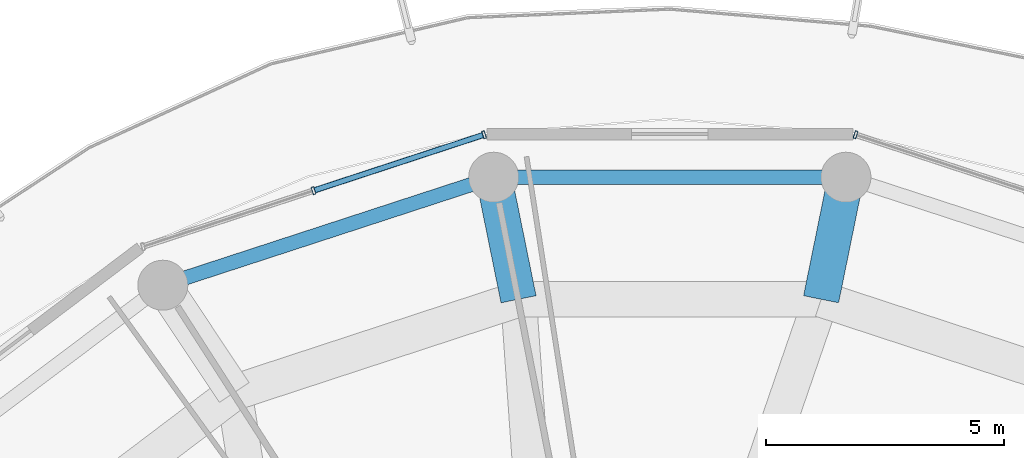
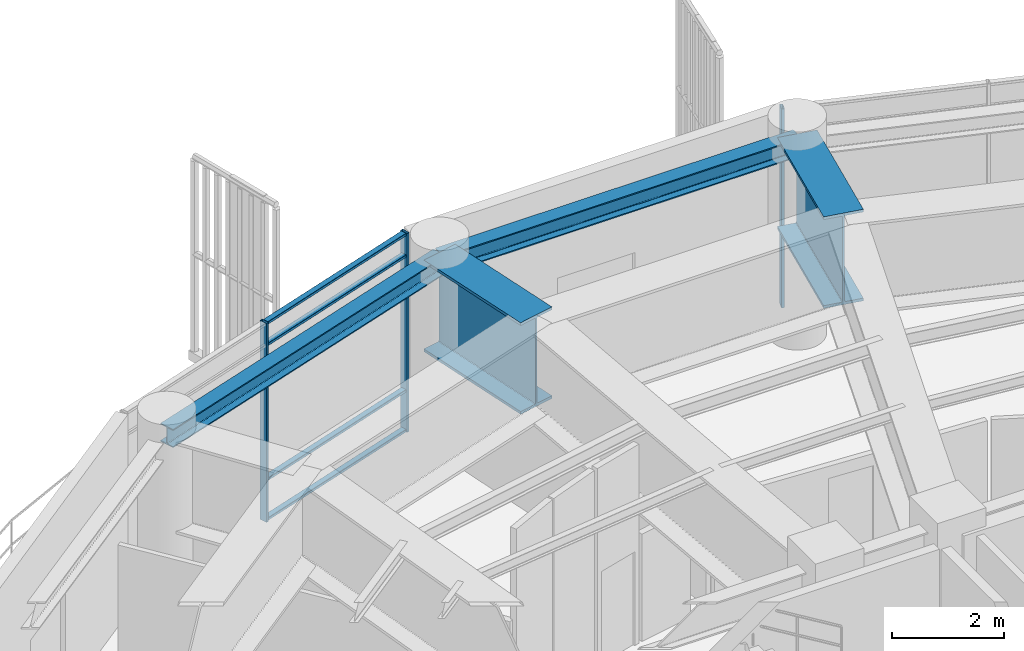
# One storey, part 18 of 29: 7 members, 4 beams, 2 elements without a shape of their own.
"""IFC4 building model written with IfcOpenShell, lengths in metres."""

from ifc_helpers import new_model, si_unit, direction, frame, origin, origin_2d, place, context, subcontext, project, spatial, hollow_rectangle, i_section, extrude, material, layer, layer_set, material_profile, profile_set, type_object, element, aggregate, save


model = new_model("IFC4")

# Units and contexts
model_context = context("Model", 3, precision=1e-05, world=origin(), true_north=direction((0.0, 1.0)))
body_context = subcontext(model_context, "Body", "Model", "MODEL_VIEW")
ifc_project = project(units=[si_unit("LENGTHUNIT", "METRE"), si_unit("AREAUNIT", "SQUARE_METRE"), si_unit("VOLUMEUNIT", "CUBIC_METRE"), si_unit("PLANEANGLEUNIT", "RADIAN"), si_unit("MASSUNIT", "GRAM", prefix="KILO")], contexts=[model_context])

# Site, building, storey
site_placement = place(None, origin())
site = spatial("IfcSite", under=ifc_project, at=site_placement, CompositionType="ELEMENT")
building_placement = place(site_placement, origin())
building = spatial("IfcBuilding", under=site, at=building_placement, Name="Kelanora Arch Commons", CompositionType="ELEMENT")
storey_placement = place(building_placement, frame((0.0, 0.0, 238.199951171875)))
storey = spatial("IfcBuildingStorey", under=building, at=storey_placement, Name="L61", CompositionType="ELEMENT", Elevation=238.199951171875)

# Beams
ifc_material_1 = material(Name="Steel S355", Category="steel")
ifc_material_profile_1 = material_profile(ifc_material_1, i_section(OverallWidth=0.300048828125, OverallDepth=0.39990234375, WebThickness=0.013427734375, FlangeThickness=0.02392578125, FilletRadius=0.027099609375, at=origin_2d()), Name="HEB400")
ifc_profile_set_1 = profile_set([ifc_material_profile_1], Name="Steel S355")
beam_type_1 = type_object("IfcBeamType", Name="BM-SPN-Z4", PredefinedType="SPANDREL", material=ifc_profile_set_1)
beam_1_placement = place(storey_placement, frame((77.6953125, 76.7900390625, 4.16015625), z_axis=(-1.0, 0.0, 0.0), x_axis=(0.0, -1.0, 0.0)))
element("IfcBeam", 1, at=beam_1_placement, inside=storey, type_object=beam_type_1, Name="Perimeter Spandrel Beam BS-08 L61", PredefinedType="SPANDREL", context=body_context, shape_type="SweptSolid", body=[
    extrude(i_section(OverallWidth=0.300048828125, OverallDepth=0.39990234375, WebThickness=0.013427734375, FlangeThickness=0.02392578125, FilletRadius=0.027099609375, at=origin_2d()), origin(), (0.0, 0.0, 1.0), 7.390625),
])
beam_2_placement = place(storey_placement, frame((70.3046875, 76.7900390625, 4.16015625), z_axis=(-0.950656361143, -0.310245842872, 0.0), x_axis=(0.310245842872, -0.950656361143, 0.0)))
element("IfcBeam", 2, at=beam_2_placement, inside=storey, type_object=beam_type_1, Name="Perimeter Spandrel Beam BS-10 L61", PredefinedType="SPANDREL", context=body_context, shape_type="SweptSolid", body=[
    extrude(i_section(OverallWidth=0.300048828125, OverallDepth=0.39990234375, WebThickness=0.013427734375, FlangeThickness=0.02392578125, FilletRadius=0.027099609375, at=origin_2d()), origin(), (0.0, 0.0, 1.0), 7.304931640625),
])
ifc_material_profile_2 = material_profile(ifc_material_1, i_section(OverallWidth=0.75, OverallDepth=2.0, WebThickness=0.034912109375, FlangeThickness=0.06005859375, FilletRadius=0.028076171875, at=origin_2d()), Name="PG2000x750")
ifc_profile_set_2 = profile_set([ifc_material_profile_2], Name="Steel S355")
beam_type_2 = type_object("IfcBeamType", Name="BM-XFER-SET", PredefinedType="USERDEFINED", material=ifc_profile_set_2)
for number, where, z_axis, x_axis, name in (
    (3, (77.17431640625, 74.2294921875, 3.360107421875), (0.199385185861, 0.979921194617, 0.0), (-0.979921194617, 0.199385185861, 0.0), "Radial Floor Girder BR-08 L61"),
    (4, (70.82568359375, 74.2294921875, 3.360107421875), (-0.199385185861, 0.979921194617, 0.0), (-0.979921194617, -0.199385185861, 0.0), "Radial Floor Girder BR-10 L61"),
):
    element("IfcBeam", number, at=place(storey_placement, frame(where, z_axis=z_axis, x_axis=x_axis)), inside=storey, type_object=beam_type_2, Name=name, ObjectType="TRANSFER_GIRDER", PredefinedType="USERDEFINED", context=body_context, shape_type="SweptSolid", body=[
        extrude(i_section(OverallWidth=0.75, OverallDepth=2.0, WebThickness=0.034912109375, FlangeThickness=0.06005859375, FilletRadius=0.028076171875, at=origin_2d()), origin(), (0.0, 0.0, 1.0), 2.613037109375),
    ])

# Curtain wall, member
ifc_material_2 = material(Name="Terracotta ceramic-fritted low-E glass and aluminium", Category="masonry")
ifc_layer = layer(ifc_material_2, 0.175048828125)
ifc_layer_set = layer_set([ifc_layer], Name="Terracotta ceramic-fritted low-E glass and aluminium")
curtain_wall_type = type_object("IfcCurtainWallType", Name="CW-SYS-02", PredefinedType="NOTDEFINED", material=ifc_layer_set)
curtain_wall_1_placement = place(storey_placement, origin())
curtain_wall_1 = element("IfcCurtainWall", 5, at=curtain_wall_1_placement, inside=storey, type_object=curtain_wall_type, Name="Unitised Curtain Wall L61-B03", PredefinedType="NOTDEFINED")
ifc_material_3 = material(Name="Powder-coated aluminium terracotta", Category="masonry")
ifc_material_profile_3 = material_profile(ifc_material_3, hollow_rectangle(XDim=0.159912109375, YDim=0.06005859375, WallThickness=0.0048828125, InnerFilletRadius=0.0048828125, OuterFilletRadius=0.010009765625, at=origin_2d()), Name="CWM160x60")
ifc_profile_set_3 = profile_set([ifc_material_profile_3], Name="Powder-coated aluminium terracotta")
member_type_1 = type_object("IfcMemberType", Name="CWM-STD", PredefinedType="MULLION", material=ifc_profile_set_3)
member_1_placement = place(storey_placement, frame((77.897705078125, 77.68212890625, 0.0), z_axis=(0.0, 0.0, 1.0), x_axis=(-0.311582439059, -0.950219124029, 0.0)))
member_1 = element("IfcMember", 6, at=member_1_placement, type_object=member_type_1, Name="CW-02 mullion 3", PredefinedType="MULLION", context=body_context, shape_type="SweptSolid", body=[
    extrude(hollow_rectangle(XDim=0.159912109375, YDim=0.06005859375, WallThickness=0.0048828125, InnerFilletRadius=0.0048828125, OuterFilletRadius=0.010009765625, at=origin_2d()), origin(), (0.0, 0.0, 1.0), 4.344970703125),
])
aggregate(curtain_wall_1, [member_1])

# Curtain wall, members
curtain_wall_2_placement = place(storey_placement, origin())
curtain_wall_2 = element("IfcCurtainWall", 7, at=curtain_wall_2_placement, inside=storey, type_object=curtain_wall_type, Name="Unitised Curtain Wall L61-B05", PredefinedType="NOTDEFINED")
member_2_placement = place(storey_placement, frame((70.102294921875, 77.68212890625, 0.0), z_axis=(0.0, 0.0, 1.0), x_axis=(0.311582439059, -0.950219124029, 0.0)))
member_2 = element("IfcMember", 8, at=member_2_placement, type_object=member_type_1, Name="CW-02 mullion 1", PredefinedType="MULLION", context=body_context, shape_type="SweptSolid", body=[
    extrude(hollow_rectangle(XDim=0.159912109375, YDim=0.06005859375, WallThickness=0.0048828125, InnerFilletRadius=0.0048828125, OuterFilletRadius=0.010009765625, at=origin_2d()), origin(), (0.0, 0.0, 1.0), 4.344970703125),
])
member_3_placement = place(storey_placement, frame((66.5224609375, 76.50830078125, 0.0), z_axis=(0.0, 0.0, 1.0), x_axis=(0.311582439059, -0.950219124029, 0.0)))
member_3 = element("IfcMember", 9, at=member_3_placement, type_object=member_type_1, Name="CW-02 mullion 2", PredefinedType="MULLION", context=body_context, shape_type="SweptSolid", body=[
    extrude(hollow_rectangle(XDim=0.159912109375, YDim=0.06005859375, WallThickness=0.0048828125, InnerFilletRadius=0.0048828125, OuterFilletRadius=0.010009765625, at=origin_2d()), origin(), (0.0, 0.0, 1.0), 4.344970703125),
])
ifc_material_profile_4 = material_profile(ifc_material_3, hollow_rectangle(XDim=0.1201171875, YDim=0.06005859375, WallThickness=0.0048828125, InnerFilletRadius=0.0048828125, OuterFilletRadius=0.010009765625, at=origin_2d()), Name="CWT120x60")
ifc_profile_set_4 = profile_set([ifc_material_profile_4], Name="Powder-coated aluminium terracotta")
member_type_2 = type_object("IfcMemberType", Name="CWT-STD", PredefinedType="USERDEFINED", material=ifc_profile_set_4)
member_4_placement = place(storey_placement, frame((70.07373046875, 77.6728515625, 0.030029296875), z_axis=(-0.950206527055, -0.311620852867, 0.0), x_axis=(0.311620852867, -0.950206527055, 0.0)))
member_4 = element("IfcMember", 10, at=member_4_placement, type_object=member_type_2, Name="CW-02 transom 1.1", ObjectType="TRANSOM", PredefinedType="USERDEFINED", context=body_context, shape_type="SweptSolid", body=[
    extrude(hollow_rectangle(XDim=0.1201171875, YDim=0.06005859375, WallThickness=0.0048828125, InnerFilletRadius=0.0048828125, OuterFilletRadius=0.010009765625, at=origin_2d()), origin(), (0.0, 0.0, 1.0), 3.707275390625),
])
member_5_placement = place(storey_placement, frame((70.07373046875, 77.6728515625, 0.900146484375), z_axis=(-0.950206527055, -0.311620852867, 0.0), x_axis=(0.311620852867, -0.950206527055, 0.0)))
member_5 = element("IfcMember", 11, at=member_5_placement, type_object=member_type_2, Name="CW-02 transom 1.2", ObjectType="TRANSOM", PredefinedType="USERDEFINED", context=body_context, shape_type="SweptSolid", body=[
    extrude(hollow_rectangle(XDim=0.1201171875, YDim=0.06005859375, WallThickness=0.0048828125, InnerFilletRadius=0.0048828125, OuterFilletRadius=0.010009765625, at=origin_2d()), origin(), (0.0, 0.0, 1.0), 3.707275390625),
])
member_6_placement = place(storey_placement, frame((70.07373046875, 77.6728515625, 3.844970703125), z_axis=(-0.950206527055, -0.311620852867, 0.0), x_axis=(0.311620852867, -0.950206527055, 0.0)))
member_6 = element("IfcMember", 12, at=member_6_placement, type_object=member_type_2, Name="CW-02 transom 1.3", ObjectType="TRANSOM", PredefinedType="USERDEFINED", context=body_context, shape_type="SweptSolid", body=[
    extrude(hollow_rectangle(XDim=0.1201171875, YDim=0.06005859375, WallThickness=0.0048828125, InnerFilletRadius=0.0048828125, OuterFilletRadius=0.010009765625, at=origin_2d()), origin(), (0.0, 0.0, 1.0), 3.707275390625),
])
member_7_placement = place(storey_placement, frame((70.07373046875, 77.6728515625, 4.31494140625), z_axis=(-0.950206527055, -0.311620852867, 0.0), x_axis=(0.311620852867, -0.950206527055, 0.0)))
member_7 = element("IfcMember", 13, at=member_7_placement, type_object=member_type_2, Name="CW-02 transom 1.4", ObjectType="TRANSOM", PredefinedType="USERDEFINED", context=body_context, shape_type="SweptSolid", body=[
    extrude(hollow_rectangle(XDim=0.1201171875, YDim=0.06005859375, WallThickness=0.0048828125, InnerFilletRadius=0.0048828125, OuterFilletRadius=0.010009765625, at=origin_2d()), origin(), (0.0, 0.0, 1.0), 3.707275390625),
])
aggregate(curtain_wall_2, [member_2, member_3, member_4, member_5, member_6, member_7])

save(model, "model.ifc")
